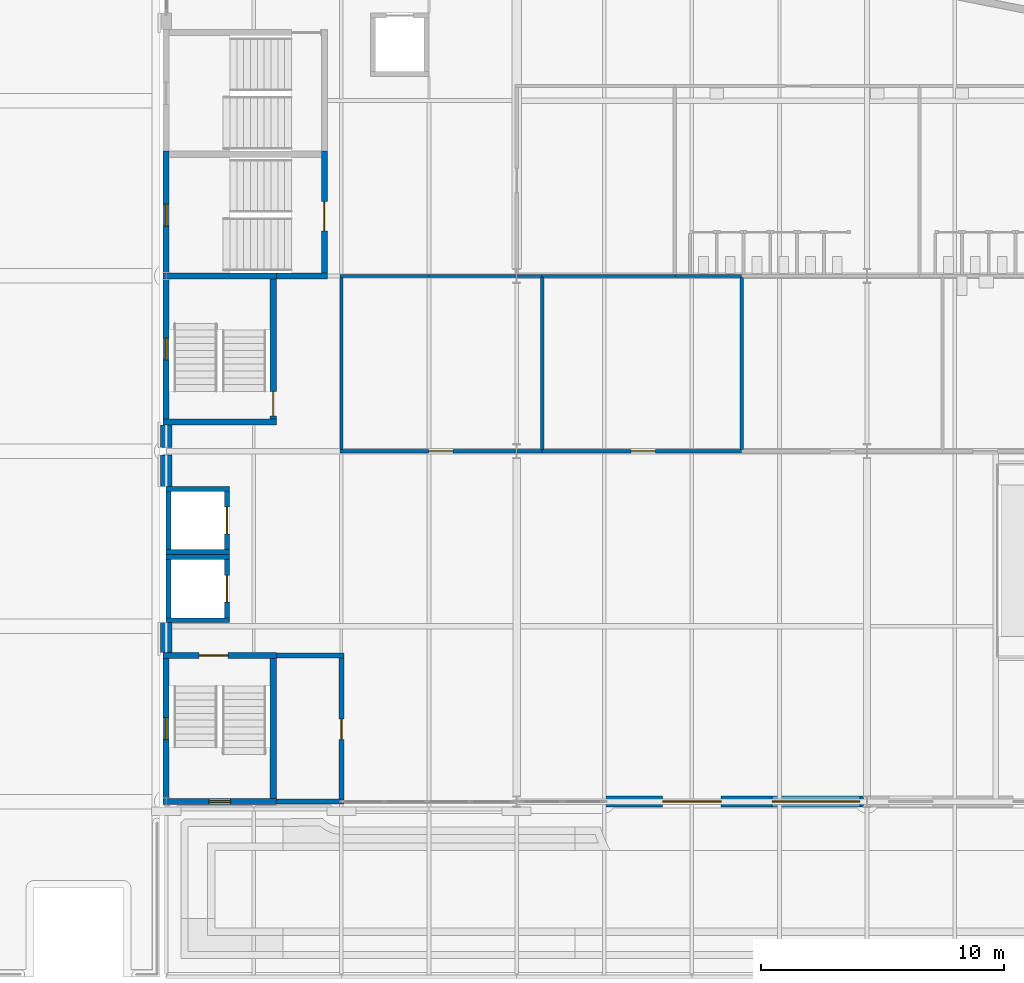
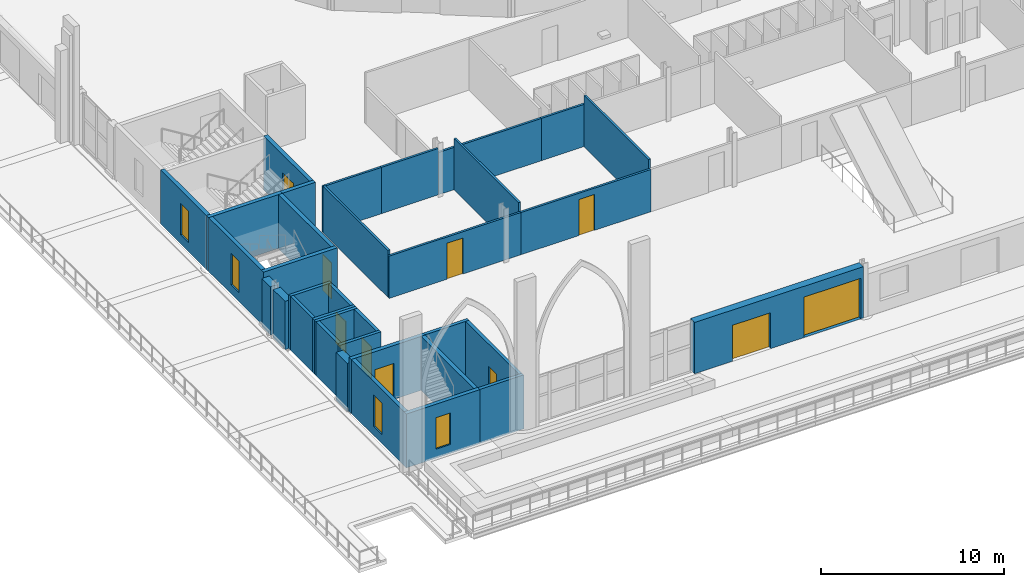
# One storey, part 68 of 143: 36 walls, 10 doors, 4 windows, 14 openings.
"""IFC4 building model written with IfcOpenShell, lengths in metres."""

import ifcopenshell
import ifcopenshell.guid

model = None  # the IFC model being written
_history = None  # IfcOwnerHistory: only IFC2X3 demands one
_inside = {}  # id of a spatial element -> (the spatial element, [elements in it])
_under = {}  # id of a project, library or spatial element -> (it, [spatial elements below it])
_declared = {}  # id of a project -> (the project, [libraries it declares])
_typed = {}  # id of a type object -> (the type object, [elements of that type])
_made_of = {}  # id of a material, layer set ... -> (it, [elements and type objects made of it])


def new_model(schema):
    """Start an empty IFC model of exactly this schema.

    Asked for "IFC4X3", IfcOpenShell would pick the latest addendum, in which some entities
    have other attributes; the version numbers below select the first issue.
    IFC2X3 requires an IfcOwnerHistory on every rooted entity: one is made here for all.
    """
    global model, _history
    if schema == "IFC4X3":
        model = ifcopenshell.file(schema_version=(4, 3, 0, 0))
    else:
        model = ifcopenshell.file(schema=schema)
    _inside.clear()
    _under.clear()
    _declared.clear()
    _typed.clear()
    _made_of.clear()
    _history = None
    if model.schema == "IFC2X3":
        org = make("IfcOrganization", Name="unknown")
        user = make(
            "IfcPersonAndOrganization",
            ThePerson=make("IfcPerson", FamilyName="unknown"),
            TheOrganization=org,
        )
        app = make(
            "IfcApplication",
            ApplicationDeveloper=org,
            Version="unknown",
            ApplicationFullName="unknown",
            ApplicationIdentifier="unknown",
        )
        _history = make(
            "IfcOwnerHistory",
            OwningUser=user,
            OwningApplication=app,
            ChangeAction="ADDED",
            CreationDate=0,
        )
    return model


def make(cls, **values):
    """One entity of the class cls with the attributes given. An attribute that is None is left unset."""
    return model.create_entity(
        cls, **{name: value for name, value in values.items() if value is not None}
    )


def rooted(cls, **values):
    """An entity with a GlobalId (a new one), such as an element, a storey or a relation."""
    return make(cls, GlobalId=ifcopenshell.guid.new(), OwnerHistory=_history, **values)


def si_unit(unit_type, name, prefix=None):
    """IfcSIUnit, for example si_unit("LENGTHUNIT", "METRE", prefix="MILLI")."""
    return make("IfcSIUnit", UnitType=unit_type, Prefix=prefix, Name=name)


def assignment(units):
    """IfcUnitAssignment: the units of a project."""
    return None if units is None else make("IfcUnitAssignment", Units=units)


def point(xyz):
    """IfcCartesianPoint."""
    return None if xyz is None else make("IfcCartesianPoint", Coordinates=xyz)


def direction(xyz):
    """IfcDirection."""
    return None if xyz is None else make("IfcDirection", DirectionRatios=xyz)


def frame(location, z_axis=None, x_axis=None):
    """IfcAxis2Placement3D, a coordinate frame: its origin and axes. An axis left out is left unset."""
    return make(
        "IfcAxis2Placement3D",
        Location=point(location),
        Axis=direction(z_axis),
        RefDirection=direction(x_axis),
    )


def frame_2d(location, x_axis=None):
    """IfcAxis2Placement2D, a coordinate frame in the plane: its origin and x axis."""
    return make(
        "IfcAxis2Placement2D", Location=point(location), RefDirection=direction(x_axis)
    )


def origin():
    """The frame at (0, 0, 0) with its axes left unset."""
    return frame((0.0, 0.0, 0.0))


def place(relative_to, where):
    """IfcLocalPlacement: puts the frame where relative to a parent placement (None: the world)."""
    return make(
        "IfcLocalPlacement", PlacementRelTo=relative_to, RelativePlacement=where
    )


def context(
    kind, dimensions, precision=None, world=None, true_north=None, identifier=None
):
    """IfcGeometricRepresentationContext, for example the 3D "Model" context."""
    return make(
        "IfcGeometricRepresentationContext",
        ContextIdentifier=identifier,
        ContextType=kind,
        CoordinateSpaceDimension=dimensions,
        Precision=precision,
        WorldCoordinateSystem=world,
        TrueNorth=true_north,
    )


def subcontext(parent, identifier, kind, view, scale=None):
    """IfcGeometricRepresentationSubContext, for example "Body" below "Model"."""
    return make(
        "IfcGeometricRepresentationSubContext",
        ContextIdentifier=identifier,
        ContextType=kind,
        ParentContext=parent,
        TargetScale=scale,
        TargetView=view,
    )


def project(units=None, contexts=None):
    """IfcProject with its units and contexts."""
    return rooted(
        "IfcProject",
        Name="project",
        RepresentationContexts=contexts,
        UnitsInContext=assignment(units),
    )


def spatial(cls, under=None, at=None, **own):
    """A site, building, storey or space (cls), placed at a placement, below another one or the project."""
    s = rooted(cls, ObjectPlacement=at, **own)
    if under is not None:
        _under.setdefault(under.id(), (under, []))[1].append(s)
    return s


def profile(cls, at=None, kind="AREA", **sizes):
    """A parametric profile (cls). Its sizes go by their IFC names, for example OverallWidth=200.0."""
    return make(cls, ProfileType=kind, Position=at, **sizes)


def rectangle(**sizes):
    """IfcRectangleProfileDef."""
    return profile("IfcRectangleProfileDef", **sizes)


def extrude(swept, where, along, depth):
    """IfcExtrudedAreaSolid: the profile swept, set in the frame where, extruded along a direction by depth."""
    return make(
        "IfcExtrudedAreaSolid",
        SweptArea=swept,
        Position=where,
        ExtrudedDirection=direction(along),
        Depth=depth,
    )


def shape(context_of_items, identifier, shape_type, items):
    """IfcShapeRepresentation: the items that make up one representation, for example the "Body"."""
    return make(
        "IfcShapeRepresentation",
        ContextOfItems=context_of_items,
        RepresentationIdentifier=identifier,
        RepresentationType=shape_type,
        Items=items,
    )


def material(Name=None, Category=None):
    """IfcMaterial."""
    return make("IfcMaterial", Name=Name, Category=Category)


def layer(
    of_material, thickness, ventilated=None, Name=None, Category=None, Priority=None
):
    """IfcMaterialLayer: one layer of a wall or slab, of a material (None: an air gap)."""
    return make(
        "IfcMaterialLayer",
        Material=of_material,
        LayerThickness=thickness,
        IsVentilated=ventilated,
        Name=Name,
        Category=Category,
        Priority=Priority,
    )


def layer_set(layers, Name=None):
    """IfcMaterialLayerSet."""
    return make("IfcMaterialLayerSet", MaterialLayers=layers, LayerSetName=Name)


def made_of(thing, what):
    """Note that an element or type object is made of a material, layer set ...; save() writes the relation."""
    if what is not None:
        _made_of.setdefault(what.id(), (what, []))[1].append(thing)
    return thing


def type_object(cls, material=None, **own):
    """A type object (cls), such as IfcWallType, which elements share."""
    return made_of(rooted(cls, **own), material)


def element(
    cls,
    number,
    at=None,
    inside=None,
    cuts=None,
    type_object=None,
    material=None,
    context=None,
    identifier="Body",
    shape_type=None,
    held_by="IfcProductDefinitionShape",
    body=None,
    shapes=None,
    **own,
):
    """One element of the class cls, such as IfcWall. Its Tag is "e" and its number.

    at: its placement. inside: the storey or other place that contains it. cuts: it is an
    opening in that element (IfcRelVoidsElement). A single representation is given by context,
    identifier, shape_type and body (its items); several are given by shapes. held_by: the class
    of the entity that holds the representations. save() writes the other relations.
    """
    e = rooted(cls, Tag="e%d" % number, ObjectPlacement=at, **own)
    if body is not None:
        shapes = [shape(context, identifier, shape_type, body)]
    if shapes is not None:
        e.Representation = make(held_by, Representations=shapes)
    if inside is not None:
        _inside.setdefault(inside.id(), (inside, []))[1].append(e)
    if cuts is not None:
        rooted(
            "IfcRelVoidsElement", RelatingBuildingElement=cuts, RelatedOpeningElement=e
        )
    if type_object is not None:
        _typed.setdefault(type_object.id(), (type_object, []))[1].append(e)
    return made_of(e, material)


def fill(opening, filler):
    """IfcRelFillsElement: the door or window that sits in an opening."""
    return rooted(
        "IfcRelFillsElement",
        RelatingOpeningElement=opening,
        RelatedBuildingElement=filler,
    )


def aggregate(whole, parts):
    """IfcRelAggregates: a whole, such as a stair, and the parts it consists of."""
    return rooted("IfcRelAggregates", RelatingObject=whole, RelatedObjects=parts)


def save(model, path):
    """Write the relations noted so far, then the file.

    IfcRelAggregates (storeys below a building ...), IfcRelContainedInSpatialStructure (elements
    in a storey), IfcRelDefinesByType, IfcRelAssociatesMaterial and IfcRelDeclares: one each for
    every whole, place, type object, material and project.
    """
    for whole, parts in _under.values():
        aggregate(whole, parts)
    for where, things in _inside.values():
        rooted(
            "IfcRelContainedInSpatialStructure",
            RelatedElements=things,
            RelatingStructure=where,
        )
    for kind, things in _typed.values():
        rooted("IfcRelDefinesByType", RelatedObjects=things, RelatingType=kind)
    for what, things in _made_of.values():
        rooted("IfcRelAssociatesMaterial", RelatedObjects=things, RelatingMaterial=what)
    for by, libraries in _declared.values():
        rooted("IfcRelDeclares", RelatingContext=by, RelatedDefinitions=libraries)
    model.write(path)


model = new_model("IFC4")

# Units and contexts
model_context = context("Model", 3, precision=1e-05, world=origin(), true_north=direction((0.0, 1.0)))
body_context = subcontext(model_context, "Body", "Model", "MODEL_VIEW")
ifc_project = project(units=[si_unit("LENGTHUNIT", "METRE"), si_unit("AREAUNIT", "SQUARE_METRE"), si_unit("VOLUMEUNIT", "CUBIC_METRE"), si_unit("PLANEANGLEUNIT", "RADIAN"), si_unit("MASSUNIT", "GRAM", prefix="KILO")], contexts=[model_context])

# Site, building, storey
site_placement = place(None, origin())
site = spatial("IfcSite", under=ifc_project, at=site_placement, CompositionType="ELEMENT")
building_placement = place(site_placement, origin())
building = spatial("IfcBuilding", under=site, at=building_placement, Name="Kupolbacken Congress Centre", CompositionType="ELEMENT")
storey_placement = place(building_placement, frame((0.0, 0.0, 7.199951171875)))
storey = spatial("IfcBuildingStorey", under=building, at=storey_placement, Name="L02", CompositionType="ELEMENT", Elevation=7.199951171875)

# Wall, openings, doors
ifc_material_1 = material(Name="Concrete C40/50", Category="concrete")
ifc_layer_1 = layer(ifc_material_1, 0.1201171875)
ifc_material_2 = material(Name="Mineral wool", Category="insulation")
ifc_layer_2 = layer(ifc_material_2, 0.19189453125)
ifc_material_3 = material(Name="Air cavity", Category="air")
ifc_layer_3 = layer(ifc_material_3, 0.0400390625, ventilated=True)
ifc_material_4 = material(Name="Brick", Category="masonry")
ifc_layer_4 = layer(ifc_material_4, 0.10791015625)
ifc_layer_set_1 = layer_set([ifc_layer_1, ifc_layer_2, ifc_layer_3, ifc_layer_4], Name="Concrete C40/50 / Mineral wool / Brick")
wall_type_1 = type_object("IfcWallType", Name="EW06 external cavity wall 460", PredefinedType="SOLIDWALL", material=ifc_layer_set_1)
wall_1_placement = place(storey_placement, frame((25.199951171875, 28.800048828125, 0.0), z_axis=(0.0, 0.0, 1.0), x_axis=(1.0, 0.0, 0.0)))
wall_1 = element("IfcWall", 1, at=wall_1_placement, inside=storey, type_object=wall_type_1, Name="E/F/S/L02/234", PredefinedType="SOLIDWALL", context=body_context, shape_type="SweptSolid", body=[
    extrude(rectangle(XDim=10.650146484375, YDim=0.4599609375, at=frame_2d((5.3251953125, 0.0))), origin(), (0.0, 0.0, 1.0), 3.420166015625),
])
opening_1_placement = place(wall_1_placement, frame((2.39990234375, 0.0, 0.0)))
opening_1 = element("IfcOpeningElement", 2, at=opening_1_placement, cuts=wall_1, Name="Opening D18", PredefinedType="OPENING", context=body_context, shape_type="SweptSolid", body=[
    extrude(rectangle(XDim=2.39990234375, YDim=2.39990234375, at=frame_2d((1.199951171875, 1.199951171875))), frame((0.0, 0.239990234375, 0.0), z_axis=(0.0, -1.0, 0.0), x_axis=(1.0, 0.0, 0.0)), (0.0, 0.0, 1.0), 0.47998046875),
])
opening_2_placement = place(wall_1_placement, frame((6.89990234375, 0.0, 0.0)))
opening_2 = element("IfcOpeningElement", 3, at=opening_2_placement, cuts=wall_1, Name="Opening D40", PredefinedType="OPENING", context=body_context, shape_type="SweptSolid", body=[
    extrude(rectangle(XDim=3.60009765625, YDim=2.699951171875, at=frame_2d((1.800048828125, 1.35009765625))), frame((0.0, 0.239990234375, 0.0), z_axis=(0.0, -1.0, 0.0), x_axis=(1.0, 0.0, 0.0)), (0.0, 0.0, 1.0), 0.47998046875),
])
ifc_material_5 = material(Name="Timber door leaf", Category="wood")
door_type_1 = type_object("IfcDoorType", Name="D18 door 2400x2400", OperationType="DOUBLE_DOOR_SINGLE_SWING", PredefinedType="DOOR", material=ifc_material_5)
door_1_placement = place(opening_1_placement, frame((2.39990234375, 0.0, 0.0), z_axis=(0.0, 0.0, 1.0), x_axis=(-1.0, 0.0, 0.0)))
door_1 = element("IfcDoor", 4, at=door_1_placement, inside=storey, type_object=door_type_1, Name="Terrace door 1", OperationType="DOUBLE_DOOR_SINGLE_SWING", OverallHeight=2.39990234375, OverallWidth=2.39990234375, PredefinedType="DOOR", context=body_context, shape_type="SweptSolid", body=[
    extrude(rectangle(XDim=2.39990234375, YDim=2.39990234375, at=frame_2d((1.199951171875, 1.199951171875))), frame((0.0, 0.02490234375, 0.0), z_axis=(0.0, -1.0, 0.0), x_axis=(1.0, 0.0, 0.0)), (0.0, 0.0, 1.0), 0.050048828125),
])
fill(opening_1, door_1)
ifc_material_6 = material(Name="Aluminium framed glazed door", Category="aluminium")
door_type_2 = type_object("IfcDoorType", Name="D40 entrance door pair 3600x2700", OperationType="DOUBLE_DOOR_SINGLE_SWING", PredefinedType="DOOR", material=ifc_material_6)
door_2_placement = place(opening_2_placement, frame((3.60009765625, 0.0, 0.0), z_axis=(0.0, 0.0, 1.0), x_axis=(-1.0, 0.0, 0.0)))
door_2 = element("IfcDoor", 5, at=door_2_placement, inside=storey, type_object=door_type_2, Name="South terrace entrance 1", OperationType="DOUBLE_DOOR_SINGLE_SWING", OverallHeight=2.699951171875, OverallWidth=3.60009765625, PredefinedType="DOOR", context=body_context, shape_type="SweptSolid", body=[
    extrude(rectangle(XDim=3.60009765625, YDim=2.699951171875, at=frame_2d((1.800048828125, 1.35009765625))), frame((0.0, 0.02490234375, 0.0), z_axis=(0.0, -1.0, 0.0), x_axis=(1.0, 0.0, 0.0)), (0.0, 0.0, 1.0), 0.050048828125),
])
fill(opening_2, door_2)

# Walls
wall_2_placement = place(storey_placement, frame((7.199951171875, 44.27490234375, 0.0), z_axis=(0.0, 0.0, 1.0), x_axis=(0.0, -1.0, 0.0)))
element("IfcWall", 6, at=wall_2_placement, inside=storey, type_object=wall_type_1, Name="E/F/W/L02/242", PredefinedType="SOLIDWALL", context=body_context, shape_type="SweptSolid", body=[
    extrude(rectangle(XDim=0.9248046875, YDim=0.4599609375, at=frame_2d((0.46240234375, 0.0))), origin(), (0.0, 0.0, 1.0), 3.219970703125),
])
wall_3_placement = place(storey_placement, frame((7.199951171875, 43.050048828125, 0.0), z_axis=(0.0, 0.0, 1.0), x_axis=(0.0, -1.0, 0.0)))
element("IfcWall", 7, at=wall_3_placement, inside=storey, type_object=wall_type_1, Name="E/F/W/L02/243", PredefinedType="SOLIDWALL", context=body_context, shape_type="SweptSolid", body=[
    extrude(rectangle(XDim=1.300048828125, YDim=0.4599609375, at=frame_2d((0.64990234375, 0.0))), origin(), (0.0, 0.0, 1.0), 3.219970703125),
])
wall_4_placement = place(storey_placement, frame((7.199951171875, 36.14990234375, 0.0), z_axis=(0.0, 0.0, 1.0), x_axis=(0.0, -1.0, 0.0)))
element("IfcWall", 8, at=wall_4_placement, inside=storey, type_object=wall_type_1, Name="E/F/W/L02/244", PredefinedType="SOLIDWALL", context=body_context, shape_type="SweptSolid", body=[
    extrude(rectangle(XDim=1.224853515625, YDim=0.4599609375, at=frame_2d((0.6123046875, 0.0))), origin(), (0.0, 0.0, 1.0), 3.219970703125),
])
ifc_material_7 = material(Name="Gypsum board", Category="drywall")
ifc_layer_5 = layer(ifc_material_7, 0.135009765625)
ifc_layer_set_2 = layer_set([ifc_layer_5], Name="Gypsum board")
wall_type_2 = type_object("IfcWallType", Name="P06 compartment wall 135", PredefinedType="PARTITIONING", material=ifc_layer_set_2)
wall_5_placement = place(storey_placement, frame((14.39990234375, 50.33251953125, 0.0), z_axis=(0.0, 0.0, 1.0), x_axis=(0.0, -1.0, 0.0)))
element("IfcWall", 9, at=wall_5_placement, inside=storey, type_object=wall_type_2, Name="PD/L02/W001", PredefinedType="PARTITIONING", context=body_context, shape_type="SweptSolid", body=[
    extrude(rectangle(XDim=7.06494140625, YDim=0.135009765625, at=frame_2d((3.532470703125, 0.0))), origin(), (0.0, 0.0, 1.0), 3.1201171875),
])
wall_6_placement = place(storey_placement, frame((18.0, 50.39990234375, 0.0), z_axis=(0.0, 0.0, 1.0), x_axis=(-1.0, 0.0, 0.0)))
element("IfcWall", 10, at=wall_6_placement, inside=storey, type_object=wall_type_2, Name="PD/L02/W003", PredefinedType="PARTITIONING", context=body_context, shape_type="SweptSolid", body=[
    extrude(rectangle(XDim=3.66748046875, YDim=0.135009765625, at=frame_2d((1.833740234375, 0.0))), origin(), (0.0, 0.0, 1.0), 3.090087890625),
])

# Wall, opening, door
wall_7_placement = place(storey_placement, frame((14.33251953125, 43.199951171875, 0.0), z_axis=(0.0, 0.0, 1.0), x_axis=(1.0, 0.0, 0.0)))
wall_7 = element("IfcWall", 11, at=wall_7_placement, inside=storey, type_object=wall_type_2, Name="PD/L02/W017", PredefinedType="PARTITIONING", context=body_context, shape_type="SweptSolid", body=[
    extrude(rectangle(XDim=8.3173828125, YDim=0.135009765625, at=frame_2d((4.15869140625, 0.0))), origin(), (0.0, 0.0, 1.0), 2.820068359375),
])
opening_3_placement = place(wall_7_placement, frame((3.64990234375, 0.0, 0.0)))
opening_3 = element("IfcOpeningElement", 12, at=opening_3_placement, cuts=wall_7, Name="Opening 2.F07", PredefinedType="OPENING", context=body_context, shape_type="SweptSolid", body=[
    extrude(rectangle(XDim=1.0, YDim=2.39990234375, at=frame_2d((0.5, 1.199951171875))), frame((0.0, 0.077392578125, 0.0), z_axis=(0.0, -1.0, 0.0), x_axis=(1.0, 0.0, 0.0)), (0.0, 0.0, 1.0), 0.155029296875),
])
ifc_material_8 = material(Name="Steel fire door leaf", Category="steel")
door_type_3 = type_object("IfcDoorType", Name="D8 fire door 1000x2400", OperationType="SINGLE_SWING_LEFT", PredefinedType="DOOR", material=ifc_material_8)
door_3_placement = place(opening_3_placement, origin())
door_3 = element("IfcDoor", 13, at=door_3_placement, inside=storey, type_object=door_type_3, Name="PD/L02/W017/D2F07", OperationType="SINGLE_SWING_LEFT", OverallHeight=2.39990234375, OverallWidth=1.0, PredefinedType="DOOR", context=body_context, shape_type="SweptSolid", body=[
    extrude(rectangle(XDim=1.0, YDim=2.39990234375, at=frame_2d((0.5, 1.199951171875))), frame((0.0, 0.02490234375, 0.0), z_axis=(0.0, -1.0, 0.0), x_axis=(1.0, 0.0, 0.0)), (0.0, 0.0, 1.0), 0.050048828125),
])
fill(opening_3, door_3)

wall_8_placement = place(storey_placement, frame((22.64990234375, 43.199951171875, 0.0), z_axis=(0.0, 0.0, 1.0), x_axis=(1.0, 0.0, 0.0)))
wall_8 = element("IfcWall", 14, at=wall_8_placement, inside=storey, type_object=wall_type_2, Name="PD/L02/W018", PredefinedType="PARTITIONING", context=body_context, shape_type="SweptSolid", body=[
    extrude(rectangle(XDim=8.2001953125, YDim=0.135009765625, at=frame_2d((4.10009765625, 0.0))), origin(), (0.0, 0.0, 1.0), 2.820068359375),
])
opening_4_placement = place(wall_8_placement, frame((3.64990234375, 0.0, 0.0)))
opening_4 = element("IfcOpeningElement", 15, at=opening_4_placement, cuts=wall_8, Name="Opening 2.F08", PredefinedType="OPENING", context=body_context, shape_type="SweptSolid", body=[
    extrude(rectangle(XDim=1.0, YDim=2.39990234375, at=frame_2d((0.5, 1.199951171875))), frame((0.0, 0.077392578125, 0.0), z_axis=(0.0, -1.0, 0.0), x_axis=(1.0, 0.0, 0.0)), (0.0, 0.0, 1.0), 0.155029296875),
])
door_4_placement = place(opening_4_placement, frame((1.0, 0.0, 0.0), z_axis=(0.0, 0.0, 1.0), x_axis=(-1.0, 0.0, 0.0)))
door_4 = element("IfcDoor", 16, at=door_4_placement, inside=storey, type_object=door_type_3, Name="PD/L02/W018/D2F08", OperationType="SINGLE_SWING_RIGHT", OverallHeight=2.39990234375, OverallWidth=1.0, PredefinedType="DOOR", context=body_context, shape_type="SweptSolid", body=[
    extrude(rectangle(XDim=1.0, YDim=2.39990234375, at=frame_2d((0.5, 1.199951171875))), frame((0.0, 0.02490234375, 0.0), z_axis=(0.0, -1.0, 0.0), x_axis=(1.0, 0.0, 0.0)), (0.0, 0.0, 1.0), 0.050048828125),
])
fill(opening_4, door_4)

# Walls
wall_9_placement = place(storey_placement, frame((22.64990234375, 50.33251953125, 0.0), z_axis=(0.0, 0.0, 1.0), x_axis=(0.0, -1.0, 0.0)))
element("IfcWall", 17, at=wall_9_placement, inside=storey, type_object=wall_type_2, Name="PD/L02/W024", PredefinedType="PARTITIONING", context=body_context, shape_type="SweptSolid", body=[
    extrude(rectangle(XDim=7.06494140625, YDim=0.135009765625, at=frame_2d((3.532470703125, 0.0))), origin(), (0.0, 0.0, 1.0), 3.420166015625),
])
wall_10_placement = place(storey_placement, frame((21.60009765625, 50.39990234375, 0.0), z_axis=(0.0, 0.0, 1.0), x_axis=(1.0, 0.0, 0.0)))
element("IfcWall", 18, at=wall_10_placement, inside=storey, type_object=wall_type_2, Name="PD/L02/W025", PredefinedType="PARTITIONING", context=body_context, shape_type="SweptSolid", body=[
    extrude(rectangle(XDim=1.0498046875, YDim=0.135009765625, at=frame_2d((0.52490234375, 0.0))), origin(), (0.0, 0.0, 1.0), 2.820068359375),
])
wall_11_placement = place(storey_placement, frame((18.0, 50.39990234375, 0.0), z_axis=(0.0, 0.0, 1.0), x_axis=(1.0, 0.0, 0.0)))
element("IfcWall", 19, at=wall_11_placement, inside=storey, type_object=wall_type_2, Name="PD/L02/W026", PredefinedType="PARTITIONING", context=body_context, shape_type="SweptSolid", body=[
    extrude(rectangle(XDim=3.60009765625, YDim=0.135009765625, at=frame_2d((1.800048828125, 0.0))), origin(), (0.0, 0.0, 1.0), 3.090087890625),
])
wall_12_placement = place(storey_placement, frame((30.85009765625, 50.33251953125, 0.0), z_axis=(0.0, 0.0, 1.0), x_axis=(0.0, -1.0, 0.0)))
element("IfcWall", 20, at=wall_12_placement, inside=storey, type_object=wall_type_2, Name="PD/L02/W027", PredefinedType="PARTITIONING", context=body_context, shape_type="SweptSolid", body=[
    extrude(rectangle(XDim=7.06494140625, YDim=0.135009765625, at=frame_2d((3.532470703125, 0.0))), origin(), (0.0, 0.0, 1.0), 3.420166015625),
])
wall_13_placement = place(storey_placement, frame((22.64990234375, 50.39990234375, 0.0), z_axis=(0.0, 0.0, 1.0), x_axis=(1.0, 0.0, 0.0)))
element("IfcWall", 21, at=wall_13_placement, inside=storey, type_object=wall_type_2, Name="PD/L02/W028", PredefinedType="PARTITIONING", context=body_context, shape_type="SweptSolid", body=[
    extrude(rectangle(XDim=5.4501953125, YDim=0.135009765625, at=frame_2d((2.72509765625, 0.0))), origin(), (0.0, 0.0, 1.0), 2.820068359375),
])
wall_14_placement = place(storey_placement, frame((28.10009765625, 50.39990234375, 0.0), z_axis=(0.0, 0.0, 1.0), x_axis=(1.0, 0.0, 0.0)))
element("IfcWall", 22, at=wall_14_placement, inside=storey, type_object=wall_type_2, Name="PD/L02/W029", PredefinedType="PARTITIONING", context=body_context, shape_type="SweptSolid", body=[
    extrude(rectangle(XDim=2.75, YDim=0.135009765625, at=frame_2d((1.375, 0.0))), origin(), (0.0, 0.0, 1.0), 2.820068359375),
])
ifc_material_9 = material(Name="Concrete C40/50", Category="concrete")
ifc_layer_6 = layer(ifc_material_9, 0.199951171875)
ifc_layer_set_3 = layer_set([ifc_layer_6], Name="Concrete C40/50")
wall_type_3 = type_object("IfcWallType", Name="WC1 RC shaft wall 200", PredefinedType="SHEAR", material=ifc_layer_set_3)
wall_15_placement = place(storey_placement, frame((11.72509765625, 28.800048828125, 0.0), z_axis=(0.0, 0.0, 1.0), x_axis=(1.0, 0.0, 0.0)))
element("IfcWall", 23, at=wall_15_placement, inside=storey, type_object=wall_type_3, Name="Shaft wall L02-001", PredefinedType="SHEAR", context=body_context, shape_type="SweptSolid", body=[
    extrude(rectangle(XDim=2.77490234375, YDim=0.199951171875, at=frame_2d((1.387451171875, 0.0))), origin(), (0.0, 0.0, 1.0), 3.60009765625),
])

# Wall, opening, door
wall_16_placement = place(storey_placement, frame((14.39990234375, 28.699951171875, 0.0), z_axis=(0.0, 0.0, 1.0), x_axis=(0.0, 1.0, 0.0)))
wall_16 = element("IfcWall", 24, at=wall_16_placement, inside=storey, type_object=wall_type_3, Name="Shaft wall L02-003", PredefinedType="SHEAR", context=body_context, shape_type="SweptSolid", body=[
    extrude(rectangle(XDim=6.199951171875, YDim=0.199951171875, at=frame_2d((3.10009765625, 0.0))), origin(), (0.0, 0.0, 1.0), 3.60009765625),
])
opening_5_placement = place(wall_16_placement, frame((2.64990234375, 0.0, 0.0)))
opening_5 = element("IfcOpeningElement", 25, at=opening_5_placement, cuts=wall_16, Name="Opening 2.F03", PredefinedType="OPENING", context=body_context, shape_type="SweptSolid", body=[
    extrude(rectangle(XDim=0.85009765625, YDim=2.10009765625, at=frame_2d((0.425048828125, 1.050048828125))), frame((0.0, 0.10986328125, 0.0), z_axis=(0.0, -1.0, 0.0), x_axis=(1.0, 0.0, 0.0)), (0.0, 0.0, 1.0), 0.219970703125),
])
ifc_material_10 = material(Name="Steel fire door leaf", Category="steel")
door_type_4 = type_object("IfcDoorType", Name="D3 fire door 850x2100", OperationType="SINGLE_SWING_LEFT", PredefinedType="DOOR", material=ifc_material_10)
door_5_placement = place(opening_5_placement, origin())
door_5 = element("IfcDoor", 26, at=door_5_placement, inside=storey, type_object=door_type_4, Name="S/core/L02/003/D2F03", OperationType="SINGLE_SWING_RIGHT", OverallHeight=2.10009765625, OverallWidth=0.85009765625, PredefinedType="DOOR", context=body_context, shape_type="SweptSolid", body=[
    extrude(rectangle(XDim=0.85009765625, YDim=2.10009765625, at=frame_2d((0.425048828125, 1.050048828125))), frame((0.0, 0.02490234375, 0.0), z_axis=(0.0, -1.0, 0.0), x_axis=(1.0, 0.0, 0.0)), (0.0, 0.0, 1.0), 0.050048828125),
])
fill(opening_5, door_5)

# Walls
wall_17_placement = place(storey_placement, frame((14.5, 34.800048828125, 0.0), z_axis=(0.0, 0.0, 1.0), x_axis=(-1.0, 0.0, 0.0)))
element("IfcWall", 27, at=wall_17_placement, inside=storey, type_object=wall_type_3, Name="Shaft wall L02-009", PredefinedType="SHEAR", context=body_context, shape_type="SweptSolid", body=[
    extrude(rectangle(XDim=2.77490234375, YDim=0.199951171875, at=frame_2d((1.387451171875, 0.0))), origin(), (0.0, 0.0, 1.0), 3.60009765625),
])
for number, where, z_axis, x_axis, name in (
    (28, (7.199951171875, 36.25, 0.0), (0.0, 0.0, 1.0), (1.0, 0.0, 0.0), "Shaft wall LP1"),
    (29, (7.199951171875, 38.85009765625, 0.0), (0.0, 0.0, 1.0), (1.0, 0.0, 0.0), "Shaft wall LP1"),
):
    element("IfcWall", number, at=place(storey_placement, frame(where, z_axis=z_axis, x_axis=x_axis)), inside=storey, type_object=wall_type_3, Name=name, PredefinedType="SHEAR", context=body_context, shape_type="SweptSolid", body=[
        extrude(rectangle(XDim=2.60009765625, YDim=0.199951171875, at=frame_2d((1.300048828125, 0.0))), origin(), (0.0, 0.0, 1.0), 3.60009765625),
    ])
wall_18_placement = place(storey_placement, frame((7.300048828125, 36.35009765625, 0.0), z_axis=(0.0, 0.0, 1.0), x_axis=(0.0, 1.0, 0.0)))
element("IfcWall", 30, at=wall_18_placement, inside=storey, type_object=wall_type_3, Name="Shaft wall LP1", PredefinedType="SHEAR", context=body_context, shape_type="SweptSolid", body=[
    extrude(rectangle(XDim=2.39990234375, YDim=0.199951171875, at=frame_2d((1.199951171875, 0.0))), origin(), (0.0, 0.0, 1.0), 3.60009765625),
])

# Wall, opening, door
wall_19_placement = place(storey_placement, frame((9.699951171875, 36.35009765625, 0.0), z_axis=(0.0, 0.0, 1.0), x_axis=(0.0, 1.0, 0.0)))
wall_19 = element("IfcWall", 31, at=wall_19_placement, inside=storey, type_object=wall_type_3, Name="Shaft wall LP1", PredefinedType="SHEAR", context=body_context, shape_type="SweptSolid", body=[
    extrude(rectangle(XDim=2.39990234375, YDim=0.199951171875, at=frame_2d((1.199951171875, 0.0))), origin(), (0.0, 0.0, 1.0), 3.60009765625),
])
opening_6_placement = place(wall_19_placement, frame((0.64990234375, 0.0, 0.0)))
opening_6 = element("IfcOpeningElement", 32, at=opening_6_placement, cuts=wall_19, Name="Opening LD2", PredefinedType="OPENING", context=body_context, shape_type="SweptSolid", body=[
    extrude(rectangle(XDim=1.10009765625, YDim=2.10009765625, at=frame_2d((0.550048828125, 1.050048828125))), frame((0.0, 0.10986328125, 0.0), z_axis=(0.0, -1.0, 0.0), x_axis=(1.0, 0.0, 0.0)), (0.0, 0.0, 1.0), 0.219970703125),
])
ifc_material_11 = material(Name="Stainless steel door leaf", Category="steel")
door_type_5 = type_object("IfcDoorType", Name="LD2 lift landing door 1100x2100", OperationType="SLIDING_TO_LEFT", PredefinedType="DOOR", material=ifc_material_11)
door_6_placement = place(opening_6_placement, origin())
door_6 = element("IfcDoor", 33, at=door_6_placement, inside=storey, type_object=door_type_5, Name="Lift landing door LP1", OperationType="SLIDING_TO_LEFT", OverallHeight=2.10009765625, OverallWidth=1.10009765625, PredefinedType="DOOR", context=body_context, shape_type="SweptSolid", body=[
    extrude(rectangle(XDim=1.10009765625, YDim=2.10009765625, at=frame_2d((0.550048828125, 1.050048828125))), frame((0.0, 0.02490234375, 0.0), z_axis=(0.0, -1.0, 0.0), x_axis=(1.0, 0.0, 0.0)), (0.0, 0.0, 1.0), 0.050048828125),
])
fill(opening_6, door_6)

# Walls
for number, where, z_axis, x_axis, name in (
    (34, (7.199951171875, 39.050048828125, 0.0), (0.0, 0.0, 1.0), (1.0, 0.0, 0.0), "Shaft wall LP2"),
    (35, (7.199951171875, 41.64990234375, 0.0), (0.0, 0.0, 1.0), (1.0, 0.0, 0.0), "Shaft wall LP2"),
):
    element("IfcWall", number, at=place(storey_placement, frame(where, z_axis=z_axis, x_axis=x_axis)), inside=storey, type_object=wall_type_3, Name=name, PredefinedType="SHEAR", context=body_context, shape_type="SweptSolid", body=[
        extrude(rectangle(XDim=2.60009765625, YDim=0.199951171875, at=frame_2d((1.300048828125, 0.0))), origin(), (0.0, 0.0, 1.0), 3.60009765625),
    ])
wall_20_placement = place(storey_placement, frame((7.300048828125, 39.14990234375, 0.0), z_axis=(0.0, 0.0, 1.0), x_axis=(0.0, 1.0, 0.0)))
element("IfcWall", 36, at=wall_20_placement, inside=storey, type_object=wall_type_3, Name="Shaft wall LP2", PredefinedType="SHEAR", context=body_context, shape_type="SweptSolid", body=[
    extrude(rectangle(XDim=2.400146484375, YDim=0.199951171875, at=frame_2d((1.2001953125, 0.0))), origin(), (0.0, 0.0, 1.0), 3.60009765625),
])

# Wall, opening, door
wall_21_placement = place(storey_placement, frame((9.699951171875, 39.14990234375, 0.0), z_axis=(0.0, 0.0, 1.0), x_axis=(0.0, 1.0, 0.0)))
wall_21 = element("IfcWall", 37, at=wall_21_placement, inside=storey, type_object=wall_type_3, Name="Shaft wall LP2", PredefinedType="SHEAR", context=body_context, shape_type="SweptSolid", body=[
    extrude(rectangle(XDim=2.400146484375, YDim=0.199951171875, at=frame_2d((1.2001953125, 0.0))), origin(), (0.0, 0.0, 1.0), 3.60009765625),
])
opening_7_placement = place(wall_21_placement, frame((0.64990234375, 0.0, 0.0)))
opening_7 = element("IfcOpeningElement", 38, at=opening_7_placement, cuts=wall_21, Name="Opening LD2", PredefinedType="OPENING", context=body_context, shape_type="SweptSolid", body=[
    extrude(rectangle(XDim=1.10009765625, YDim=2.10009765625, at=frame_2d((0.550048828125, 1.050048828125))), frame((0.0, 0.10986328125, 0.0), z_axis=(0.0, -1.0, 0.0), x_axis=(1.0, 0.0, 0.0)), (0.0, 0.0, 1.0), 0.219970703125),
])
door_7_placement = place(opening_7_placement, origin())
door_7 = element("IfcDoor", 39, at=door_7_placement, inside=storey, type_object=door_type_5, Name="Lift landing door LP2", OperationType="SLIDING_TO_LEFT", OverallHeight=2.10009765625, OverallWidth=1.10009765625, PredefinedType="DOOR", context=body_context, shape_type="SweptSolid", body=[
    extrude(rectangle(XDim=1.10009765625, YDim=2.10009765625, at=frame_2d((0.550048828125, 1.050048828125))), frame((0.0, 0.02490234375, 0.0), z_axis=(0.0, -1.0, 0.0), x_axis=(1.0, 0.0, 0.0)), (0.0, 0.0, 1.0), 0.050048828125),
])
fill(opening_7, door_7)

# Wall, opening, window
ifc_material_12 = material(Name="Concrete C40/50", Category="concrete")
ifc_layer_7 = layer(ifc_material_12, 0.25)
ifc_layer_set_4 = layer_set([ifc_layer_7], Name="Concrete C40/50")
wall_type_4 = type_object("IfcWallType", Name="WC2 RC stair enclosure wall 250", PredefinedType="SHEAR", material=ifc_layer_set_4)
wall_22_placement = place(storey_placement, frame((7.074951171875, 28.800048828125, 0.0), z_axis=(0.0, 0.0, 1.0), x_axis=(1.0, 0.0, 0.0)))
wall_22 = element("IfcWall", 40, at=wall_22_placement, inside=storey, type_object=wall_type_4, Name="Stair enclosure wall L02-000", PredefinedType="SHEAR", context=body_context, shape_type="SweptSolid", body=[
    extrude(rectangle(XDim=4.650146484375, YDim=0.25, at=frame_2d((2.3251953125, 0.0))), origin(), (0.0, 0.0, 1.0), 3.60009765625),
])
opening_8_placement = place(wall_22_placement, frame((1.875, 0.0, 0.60009765625)))
opening_8 = element("IfcOpeningElement", 41, at=opening_8_placement, cuts=wall_22, Name="Opening W28", PredefinedType="OPENING", context=body_context, shape_type="SweptSolid", body=[
    extrude(rectangle(XDim=0.89990234375, YDim=2.10009765625, at=frame_2d((0.449951171875, 1.050048828125))), frame((0.0, 0.135009765625, 0.0), z_axis=(0.0, -1.0, 0.0), x_axis=(1.0, 0.0, 0.0)), (0.0, 0.0, 1.0), 0.27001953125),
])
ifc_material_13 = material(Name="Aluminium frame with double or triple glazing", Category="aluminium")
window_type = type_object("IfcWindowType", Name="W28 window 900x2100", PartitioningType="SINGLE_PANEL", PredefinedType="WINDOW", material=ifc_material_13)
window_1_placement = place(opening_8_placement, origin())
window_1 = element("IfcWindow", 42, at=window_1_placement, inside=storey, type_object=window_type, Name="S/core/L02/000/W1/L02", OverallHeight=2.10009765625, OverallWidth=0.89990234375, PartitioningType="SINGLE_PANEL", PredefinedType="WINDOW", context=body_context, shape_type="SweptSolid", body=[
    extrude(rectangle(XDim=0.89990234375, YDim=2.10009765625, at=frame_2d((0.449951171875, 1.050048828125))), frame((0.0, 0.030029296875, 0.0), z_axis=(0.0, -1.0, 0.0), x_axis=(1.0, 0.0, 0.0)), (0.0, 0.0, 1.0), 0.06005859375),
])
fill(opening_8, window_1)

# Wall
wall_23_placement = place(storey_placement, frame((11.60009765625, 28.675048828125, 0.0), z_axis=(0.0, 0.0, 1.0), x_axis=(0.0, 1.0, 0.0)))
element("IfcWall", 43, at=wall_23_placement, inside=storey, type_object=wall_type_4, Name="Stair enclosure wall L02-002", PredefinedType="SHEAR", context=body_context, shape_type="SweptSolid", body=[
    extrude(rectangle(XDim=6.25, YDim=0.25, at=frame_2d((3.125, 0.0))), origin(), (0.0, 0.0, 1.0), 3.60009765625),
])

# Wall, opening, window
wall_24_placement = place(storey_placement, frame((7.199951171875, 34.925048828125, 0.0), z_axis=(0.0, 0.0, 1.0), x_axis=(0.0, -1.0, 0.0)))
wall_24 = element("IfcWall", 44, at=wall_24_placement, inside=storey, type_object=wall_type_4, Name="Stair enclosure wall L02-007", PredefinedType="SHEAR", context=body_context, shape_type="SweptSolid", body=[
    extrude(rectangle(XDim=6.25, YDim=0.25, at=frame_2d((3.125, 0.0))), origin(), (0.0, 0.0, 1.0), 3.60009765625),
])
opening_9_placement = place(wall_24_placement, frame((2.675048828125, 0.0, 0.60009765625)))
opening_9 = element("IfcOpeningElement", 45, at=opening_9_placement, cuts=wall_24, Name="Opening W28", PredefinedType="OPENING", context=body_context, shape_type="SweptSolid", body=[
    extrude(rectangle(XDim=0.89990234375, YDim=2.10009765625, at=frame_2d((0.449951171875, 1.050048828125))), frame((0.0, 0.135009765625, 0.0), z_axis=(0.0, -1.0, 0.0), x_axis=(1.0, 0.0, 0.0)), (0.0, 0.0, 1.0), 0.27001953125),
])
window_2_placement = place(opening_9_placement, origin())
window_2 = element("IfcWindow", 46, at=window_2_placement, inside=storey, type_object=window_type, Name="S/core/L02/007/W1/L02", OverallHeight=2.10009765625, OverallWidth=0.89990234375, PartitioningType="SINGLE_PANEL", PredefinedType="WINDOW", context=body_context, shape_type="SweptSolid", body=[
    extrude(rectangle(XDim=0.89990234375, YDim=2.10009765625, at=frame_2d((0.449951171875, 1.050048828125))), frame((0.0, 0.030029296875, 0.0), z_axis=(0.0, -1.0, 0.0), x_axis=(1.0, 0.0, 0.0)), (0.0, 0.0, 1.0), 0.06005859375),
])
fill(opening_9, window_2)

# Wall, opening, door
wall_25_placement = place(storey_placement, frame((11.72509765625, 34.800048828125, 0.0), z_axis=(0.0, 0.0, 1.0), x_axis=(-1.0, 0.0, 0.0)))
wall_25 = element("IfcWall", 47, at=wall_25_placement, inside=storey, type_object=wall_type_4, Name="Stair enclosure wall L02-008", PredefinedType="SHEAR", context=body_context, shape_type="SweptSolid", body=[
    extrude(rectangle(XDim=4.650146484375, YDim=0.25, at=frame_2d((2.3251953125, 0.0))), origin(), (0.0, 0.0, 1.0), 3.60009765625),
])
opening_10_placement = place(wall_25_placement, frame((1.97509765625, 0.0, 0.0)))
opening_10 = element("IfcOpeningElement", 48, at=opening_10_placement, cuts=wall_25, Name="Opening 2.F01", PredefinedType="OPENING", context=body_context, shape_type="SweptSolid", body=[
    extrude(rectangle(XDim=1.199951171875, YDim=2.39990234375, at=frame_2d((0.60009765625, 1.199951171875))), frame((0.0, 0.135009765625, 0.0), z_axis=(0.0, -1.0, 0.0), x_axis=(1.0, 0.0, 0.0)), (0.0, 0.0, 1.0), 0.27001953125),
])
ifc_material_14 = material(Name="Steel fire door leaf", Category="steel")
door_type_6 = type_object("IfcDoorType", Name="D9 fire door 1200x2400", OperationType="SINGLE_SWING_LEFT", PredefinedType="DOOR", material=ifc_material_14)
door_8_placement = place(opening_10_placement, origin())
door_8 = element("IfcDoor", 49, at=door_8_placement, inside=storey, type_object=door_type_6, Name="S/core/L02/008/D2F01", OperationType="SINGLE_SWING_LEFT", OverallHeight=2.39990234375, OverallWidth=1.199951171875, PredefinedType="DOOR", context=body_context, shape_type="SweptSolid", body=[
    extrude(rectangle(XDim=1.199951171875, YDim=2.39990234375, at=frame_2d((0.60009765625, 1.199951171875))), frame((0.0, 0.02490234375, 0.0), z_axis=(0.0, -1.0, 0.0), x_axis=(1.0, 0.0, 0.0)), (0.0, 0.0, 1.0), 0.050048828125),
])
fill(opening_10, door_8)

# Wall
wall_26_placement = place(storey_placement, frame((7.074951171875, 44.39990234375, 0.0), z_axis=(0.0, 0.0, 1.0), x_axis=(1.0, 0.0, 0.0)))
element("IfcWall", 50, at=wall_26_placement, inside=storey, type_object=wall_type_4, Name="Stair enclosure wall L02-014", PredefinedType="SHEAR", context=body_context, shape_type="SweptSolid", body=[
    extrude(rectangle(XDim=4.650146484375, YDim=0.25, at=frame_2d((2.3251953125, 0.0))), origin(), (0.0, 0.0, 1.0), 3.60009765625),
])

# Wall, opening, door
wall_27_placement = place(storey_placement, frame((11.60009765625, 44.27490234375, 0.0), z_axis=(0.0, 0.0, 1.0), x_axis=(0.0, 1.0, 0.0)))
wall_27 = element("IfcWall", 51, at=wall_27_placement, inside=storey, type_object=wall_type_4, Name="Stair enclosure wall L02-015", PredefinedType="SHEAR", context=body_context, shape_type="SweptSolid", body=[
    extrude(rectangle(XDim=6.25, YDim=0.25, at=frame_2d((3.125, 0.0))), origin(), (0.0, 0.0, 1.0), 3.60009765625),
])
opening_11_placement = place(wall_27_placement, frame((0.375, 0.0, 0.0)))
opening_11 = element("IfcOpeningElement", 52, at=opening_11_placement, cuts=wall_27, Name="Opening 2.F02", PredefinedType="OPENING", context=body_context, shape_type="SweptSolid", body=[
    extrude(rectangle(XDim=1.0, YDim=2.39990234375, at=frame_2d((0.5, 1.199951171875))), frame((0.0, 0.135009765625, 0.0), z_axis=(0.0, -1.0, 0.0), x_axis=(1.0, 0.0, 0.0)), (0.0, 0.0, 1.0), 0.27001953125),
])
door_9_placement = place(opening_11_placement, origin())
door_9 = element("IfcDoor", 53, at=door_9_placement, inside=storey, type_object=door_type_3, Name="S/core/L02/015/D2F02", OperationType="SINGLE_SWING_RIGHT", OverallHeight=2.39990234375, OverallWidth=1.0, PredefinedType="DOOR", context=body_context, shape_type="SweptSolid", body=[
    extrude(rectangle(XDim=1.0, YDim=2.39990234375, at=frame_2d((0.5, 1.199951171875))), frame((0.0, 0.02490234375, 0.0), z_axis=(0.0, -1.0, 0.0), x_axis=(1.0, 0.0, 0.0)), (0.0, 0.0, 1.0), 0.050048828125),
])
fill(opening_11, door_9)

# Wall, opening, window
wall_28_placement = place(storey_placement, frame((7.199951171875, 50.52490234375, 0.0), z_axis=(0.0, 0.0, 1.0), x_axis=(0.0, -1.0, 0.0)))
wall_28 = element("IfcWall", 54, at=wall_28_placement, inside=storey, type_object=wall_type_4, Name="Stair enclosure wall L02-023", PredefinedType="SHEAR", context=body_context, shape_type="SweptSolid", body=[
    extrude(rectangle(XDim=6.25, YDim=0.25, at=frame_2d((3.125, 0.0))), origin(), (0.0, 0.0, 1.0), 3.60009765625),
])
opening_12_placement = place(wall_28_placement, frame((2.675048828125, 0.0, 0.60009765625)))
opening_12 = element("IfcOpeningElement", 55, at=opening_12_placement, cuts=wall_28, Name="Opening W28", PredefinedType="OPENING", context=body_context, shape_type="SweptSolid", body=[
    extrude(rectangle(XDim=0.89990234375, YDim=2.10009765625, at=frame_2d((0.449951171875, 1.050048828125))), frame((0.0, 0.135009765625, 0.0), z_axis=(0.0, -1.0, 0.0), x_axis=(1.0, 0.0, 0.0)), (0.0, 0.0, 1.0), 0.27001953125),
])
window_3_placement = place(opening_12_placement, origin())
window_3 = element("IfcWindow", 56, at=window_3_placement, inside=storey, type_object=window_type, Name="S/core/L02/023/W1/L02", OverallHeight=2.10009765625, OverallWidth=0.89990234375, PartitioningType="SINGLE_PANEL", PredefinedType="WINDOW", context=body_context, shape_type="SweptSolid", body=[
    extrude(rectangle(XDim=0.89990234375, YDim=2.10009765625, at=frame_2d((0.449951171875, 1.050048828125))), frame((0.0, 0.030029296875, 0.0), z_axis=(0.0, -1.0, 0.0), x_axis=(1.0, 0.0, 0.0)), (0.0, 0.0, 1.0), 0.06005859375),
])
fill(opening_12, window_3)

# Walls
wall_29_placement = place(storey_placement, frame((11.72509765625, 50.39990234375, 0.0), z_axis=(0.0, 0.0, 1.0), x_axis=(-1.0, 0.0, 0.0)))
element("IfcWall", 57, at=wall_29_placement, inside=storey, type_object=wall_type_4, Name="Stair enclosure wall L02-024", PredefinedType="SHEAR", context=body_context, shape_type="SweptSolid", body=[
    extrude(rectangle(XDim=4.650146484375, YDim=0.25, at=frame_2d((2.3251953125, 0.0))), origin(), (0.0, 0.0, 1.0), 3.60009765625),
])
wall_30_placement = place(storey_placement, frame((11.72509765625, 50.39990234375, 0.0), z_axis=(0.0, 0.0, 1.0), x_axis=(1.0, 0.0, 0.0)))
element("IfcWall", 58, at=wall_30_placement, inside=storey, type_object=wall_type_4, Name="Stair enclosure wall L02-025", PredefinedType="SHEAR", context=body_context, shape_type="SweptSolid", body=[
    extrude(rectangle(XDim=2.099853515625, YDim=0.25, at=frame_2d((1.0498046875, 0.0))), origin(), (0.0, 0.0, 1.0), 3.60009765625),
])

# Wall, opening, door
wall_31_placement = place(storey_placement, frame((13.699951171875, 50.27490234375, 0.0), z_axis=(0.0, 0.0, 1.0), x_axis=(0.0, 1.0, 0.0)))
wall_31 = element("IfcWall", 59, at=wall_31_placement, inside=storey, type_object=wall_type_4, Name="Stair enclosure wall L02-026", PredefinedType="SHEAR", context=body_context, shape_type="SweptSolid", body=[
    extrude(rectangle(XDim=5.25, YDim=0.25, at=frame_2d((2.625, 0.0))), origin(), (0.0, 0.0, 1.0), 3.60009765625),
])
opening_13_placement = place(wall_31_placement, frame((1.97509765625, 0.0, 0.0)))
opening_13 = element("IfcOpeningElement", 60, at=opening_13_placement, cuts=wall_31, Name="Opening 2.P01", PredefinedType="OPENING", context=body_context, shape_type="SweptSolid", body=[
    extrude(rectangle(XDim=1.199951171875, YDim=2.39990234375, at=frame_2d((0.60009765625, 1.199951171875))), frame((0.0, 0.135009765625, 0.0), z_axis=(0.0, -1.0, 0.0), x_axis=(1.0, 0.0, 0.0)), (0.0, 0.0, 1.0), 0.27001953125),
])
door_10_placement = place(opening_13_placement, origin())
door_10 = element("IfcDoor", 61, at=door_10_placement, inside=storey, type_object=door_type_6, Name="S/core/L02/026/D2P01", OperationType="SINGLE_SWING_RIGHT", OverallHeight=2.39990234375, OverallWidth=1.199951171875, PredefinedType="DOOR", context=body_context, shape_type="SweptSolid", body=[
    extrude(rectangle(XDim=1.199951171875, YDim=2.39990234375, at=frame_2d((0.60009765625, 1.199951171875))), frame((0.0, 0.02490234375, 0.0), z_axis=(0.0, -1.0, 0.0), x_axis=(1.0, 0.0, 0.0)), (0.0, 0.0, 1.0), 0.050048828125),
])
fill(opening_13, door_10)

# Wall, opening, window
wall_32_placement = place(storey_placement, frame((7.199951171875, 55.52490234375, 0.0), z_axis=(0.0, 0.0, 1.0), x_axis=(0.0, -1.0, 0.0)))
wall_32 = element("IfcWall", 62, at=wall_32_placement, inside=storey, type_object=wall_type_4, Name="Stair enclosure wall L02-034", PredefinedType="SHEAR", context=body_context, shape_type="SweptSolid", body=[
    extrude(rectangle(XDim=5.0, YDim=0.25, at=frame_2d((2.5, 0.0))), origin(), (0.0, 0.0, 1.0), 3.60009765625),
])
opening_14_placement = place(wall_32_placement, frame((2.175048828125, 0.0, 0.60009765625)))
opening_14 = element("IfcOpeningElement", 63, at=opening_14_placement, cuts=wall_32, Name="Opening W28", PredefinedType="OPENING", context=body_context, shape_type="SweptSolid", body=[
    extrude(rectangle(XDim=0.89990234375, YDim=2.10009765625, at=frame_2d((0.449951171875, 1.050048828125))), frame((0.0, 0.135009765625, 0.0), z_axis=(0.0, -1.0, 0.0), x_axis=(1.0, 0.0, 0.0)), (0.0, 0.0, 1.0), 0.27001953125),
])
window_4_placement = place(opening_14_placement, origin())
window_4 = element("IfcWindow", 64, at=window_4_placement, inside=storey, type_object=window_type, Name="S/core/L02/034/W1/L02", OverallHeight=2.10009765625, OverallWidth=0.89990234375, PartitioningType="SINGLE_PANEL", PredefinedType="WINDOW", context=body_context, shape_type="SweptSolid", body=[
    extrude(rectangle(XDim=0.89990234375, YDim=2.10009765625, at=frame_2d((0.449951171875, 1.050048828125))), frame((0.0, 0.030029296875, 0.0), z_axis=(0.0, -1.0, 0.0), x_axis=(1.0, 0.0, 0.0)), (0.0, 0.0, 1.0), 0.06005859375),
])
fill(opening_14, window_4)

save(model, "model.ifc")
